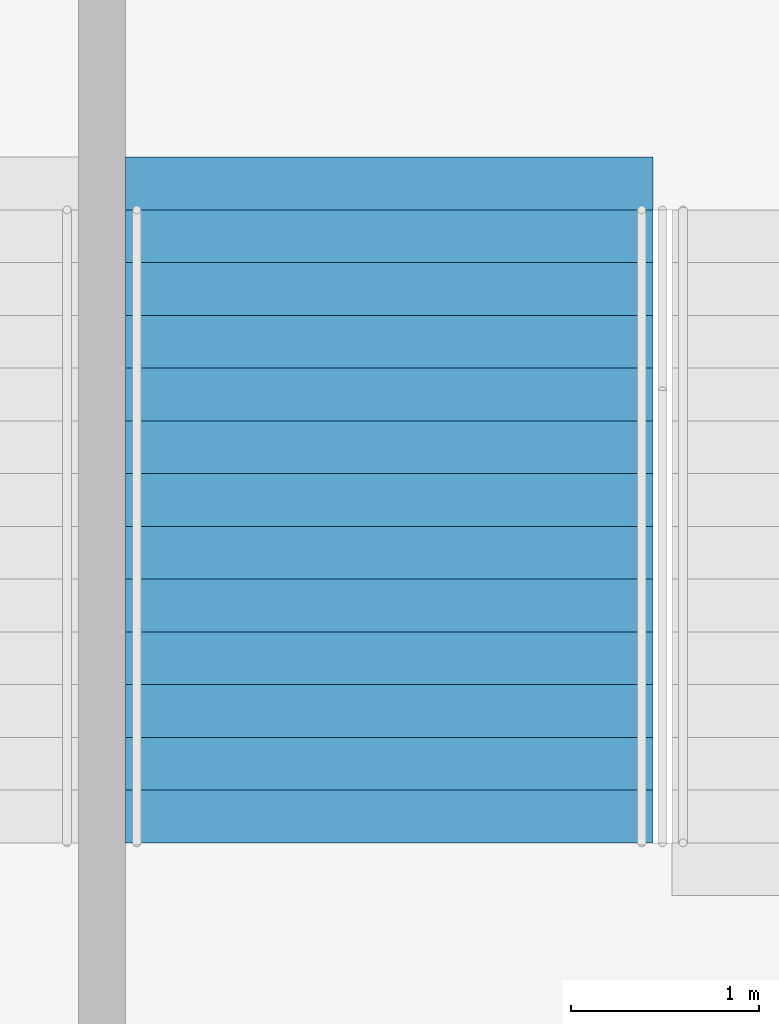
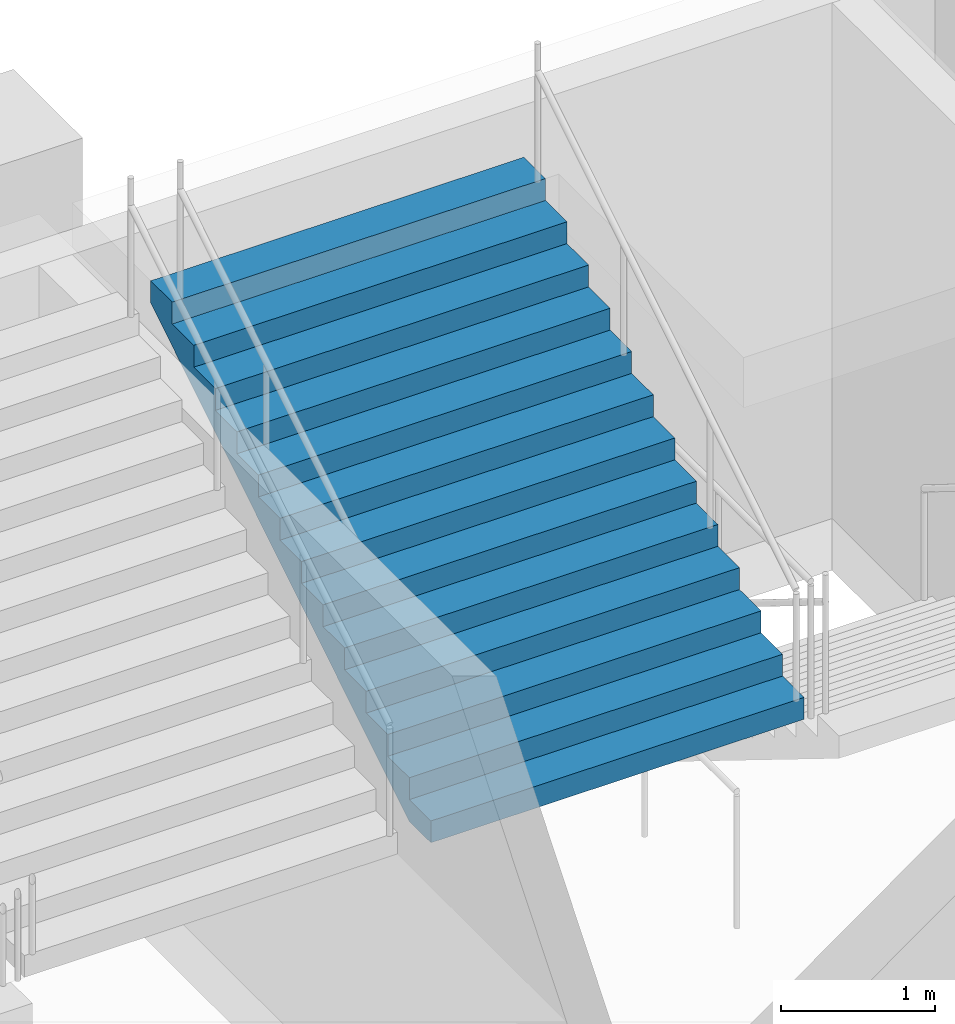
# One storey, part 104 of 177: 1 stair flight, 1 element without a shape of its own.
"""IFC4 building model written with IfcOpenShell, lengths in metres."""

from ifc_helpers import new_model, si_unit, direction, frame, origin, place, context, subcontext, project, spatial, faceted_brep, material, type_object, element, aggregate, save


model = new_model("IFC4")

# Units and contexts
model_context = context("Model", 3, precision=1e-05, world=origin(), true_north=direction((0.0, 1.0)))
body_context = subcontext(model_context, "Body", "Model", "MODEL_VIEW")
ifc_project = project(units=[si_unit("LENGTHUNIT", "METRE"), si_unit("AREAUNIT", "SQUARE_METRE"), si_unit("VOLUMEUNIT", "CUBIC_METRE"), si_unit("PLANEANGLEUNIT", "RADIAN"), si_unit("MASSUNIT", "GRAM", prefix="KILO")], contexts=[model_context])

# Site, building, storey
site_placement = place(None, origin())
site = spatial("IfcSite", under=ifc_project, at=site_placement, CompositionType="ELEMENT")
building_placement = place(site_placement, origin())
building = spatial("IfcBuilding", under=site, at=building_placement, Name="Ogive Plaza Stadium", CompositionType="ELEMENT")
storey_placement = place(building_placement, frame((0.0, 0.0, 18.0)))
storey = spatial("IfcBuildingStorey", under=building, at=storey_placement, Name="L04", CompositionType="ELEMENT", Elevation=18.0)

# Stair, stair flight
ifc_material_1 = material(Name="Concrete C40/50", Category="concrete")
stair_type = type_object("IfcStairType", Name="Exit stair", PredefinedType="STRAIGHT_RUN_STAIR", material=ifc_material_1)
stair_placement = place(storey_placement, origin())
stair = element("IfcStair", 1, at=stair_placement, inside=storey, type_object=stair_type, Name="Exit stair ST12B L04 to L05", PredefinedType="STRAIGHT_RUN_STAIR")
ifc_material_2 = material(Name="Concrete C40/50", Category="concrete")
stair_flight_type = type_object("IfcStairFlightType", Name="Exit stair flight", PredefinedType="STRAIGHT", material=ifc_material_2)
stair_flight_placement = place(storey_placement, frame((35.52490234375, -98.2099609375, 2.25), z_axis=(0.0, 0.0, 1.0), x_axis=(0.0, 1.0, 0.0)))
stair_flight = element("IfcStairFlight", 2, at=stair_flight_placement, type_object=stair_flight_type, Name="ST12B flight 2", NumberOfRisers=13, NumberOfTreads=12, PredefinedType="STRAIGHT", RiserHeight=0.173076923, TreadLength=0.28, context=body_context, shape_type="Brep", body=[
    faceted_brep([(0.28515625, -1.39990234375, 0.0), (3.639892578125, -1.39990234375, 2.07373046875), (3.639892578125, -1.39990234375, 2.25), (3.360107421875, -1.39990234375, 2.25), (3.360107421875, -1.39990234375, 2.076904296875), (3.080078125, -1.39990234375, 2.076904296875), (3.080078125, -1.39990234375, 1.90380859375), (2.800048828125, -1.39990234375, 1.90380859375), (2.800048828125, -1.39990234375, 1.730712890625), (2.52001953125, -1.39990234375, 1.730712890625), (2.52001953125, -1.39990234375, 1.5576171875), (2.239990234375, -1.39990234375, 1.5576171875), (2.239990234375, -1.39990234375, 1.384521484375), (1.9599609375, -1.39990234375, 1.384521484375), (1.9599609375, -1.39990234375, 1.21142578125), (1.679931640625, -1.39990234375, 1.21142578125), (1.679931640625, -1.39990234375, 1.03857421875), (1.39990234375, -1.39990234375, 1.03857421875), (1.39990234375, -1.39990234375, 0.865478515625), (1.1201171875, -1.39990234375, 0.865478515625), (1.1201171875, -1.39990234375, 0.6923828125), (0.840087890625, -1.39990234375, 0.6923828125), (0.840087890625, -1.39990234375, 0.519287109375), (0.56005859375, -1.39990234375, 0.519287109375), (0.56005859375, -1.39990234375, 0.34619140625), (0.280029296875, -1.39990234375, 0.34619140625), (0.280029296875, -1.39990234375, 0.173095703125), (0.0, -1.39990234375, 0.173095703125), (0.0, -1.39990234375, 0.0), (0.0, 1.39990234375, 0.0), (0.0, 1.39990234375, 0.173095703125), (0.280029296875, 1.39990234375, 0.173095703125), (0.280029296875, 1.39990234375, 0.34619140625), (0.56005859375, 1.39990234375, 0.34619140625), (0.56005859375, 1.39990234375, 0.519287109375), (0.840087890625, 1.39990234375, 0.519287109375), (0.840087890625, 1.39990234375, 0.6923828125), (1.1201171875, 1.39990234375, 0.6923828125), (1.1201171875, 1.39990234375, 0.865478515625), (1.39990234375, 1.39990234375, 0.865478515625), (1.39990234375, 1.39990234375, 1.03857421875), (1.679931640625, 1.39990234375, 1.03857421875), (1.679931640625, 1.39990234375, 1.21142578125), (1.9599609375, 1.39990234375, 1.21142578125), (1.9599609375, 1.39990234375, 1.384521484375), (2.239990234375, 1.39990234375, 1.384521484375), (2.239990234375, 1.39990234375, 1.5576171875), (2.52001953125, 1.39990234375, 1.5576171875), (2.52001953125, 1.39990234375, 1.730712890625), (2.800048828125, 1.39990234375, 1.730712890625), (2.800048828125, 1.39990234375, 1.90380859375), (3.080078125, 1.39990234375, 1.90380859375), (3.080078125, 1.39990234375, 2.076904296875), (3.360107421875, 1.39990234375, 2.076904296875), (3.360107421875, 1.39990234375, 2.25), (3.639892578125, 1.39990234375, 2.25), (3.639892578125, 1.39990234375, 2.07373046875), (0.28515625, 1.39990234375, 0.0), (0.28515625, -1.0888671875, 0.0), (3.639892578125, -1.0888671875, 2.07373046875), (0.28515625, -0.77783203125, 0.0), (3.639892578125, -0.77783203125, 2.07373046875), (0.28515625, -0.466796875, 0.0), (3.639892578125, -0.466796875, 2.07373046875), (0.28515625, -0.155517578125, 0.0), (3.639892578125, -0.155517578125, 2.07373046875), (0.28515625, 0.155517578125, 0.0), (3.639892578125, 0.155517578125, 2.07373046875), (0.28515625, 0.466796875, 0.0), (3.639892578125, 0.466796875, 2.07373046875), (0.28515625, 0.77783203125, 0.0), (3.639892578125, 0.77783203125, 2.07373046875), (0.28515625, 1.0888671875, 0.0), (3.639892578125, 1.0888671875, 2.07373046875), (3.639892578125, -1.0888671875, 2.25), (3.639892578125, -0.77783203125, 2.25), (3.639892578125, -0.466796875, 2.25), (3.639892578125, -0.155517578125, 2.25), (3.639892578125, 0.155517578125, 2.25), (3.639892578125, 0.466796875, 2.25), (3.639892578125, 0.77783203125, 2.25), (3.639892578125, 1.0888671875, 2.25), (3.360107421875, -1.0888671875, 2.25), (3.360107421875, -0.77783203125, 2.25), (3.360107421875, -0.466796875, 2.25), (3.360107421875, -0.155517578125, 2.25), (3.360107421875, 0.155517578125, 2.25), (3.360107421875, 0.466796875, 2.25), (3.360107421875, 0.77783203125, 2.25), (3.360107421875, 1.0888671875, 2.25), (3.360107421875, -1.0888671875, 2.076904296875), (3.360107421875, -0.77783203125, 2.076904296875), (3.360107421875, -0.466796875, 2.076904296875), (3.360107421875, -0.155517578125, 2.076904296875), (3.360107421875, 0.155517578125, 2.076904296875), (3.360107421875, 0.466796875, 2.076904296875), (3.360107421875, 0.77783203125, 2.076904296875), (3.360107421875, 1.0888671875, 2.076904296875), (3.080078125, -1.0888671875, 2.076904296875), (3.080078125, -0.77783203125, 2.076904296875), (3.080078125, -0.466796875, 2.076904296875), (3.080078125, -0.155517578125, 2.076904296875), (3.080078125, 0.155517578125, 2.076904296875), (3.080078125, 0.466796875, 2.076904296875), (3.080078125, 0.77783203125, 2.076904296875), (3.080078125, 1.0888671875, 2.076904296875), (3.080078125, -1.0888671875, 1.90380859375), (3.080078125, -0.77783203125, 1.90380859375), (3.080078125, -0.466796875, 1.90380859375), (3.080078125, -0.155517578125, 1.90380859375), (3.080078125, 0.155517578125, 1.90380859375), (3.080078125, 0.466796875, 1.90380859375), (3.080078125, 0.77783203125, 1.90380859375), (3.080078125, 1.0888671875, 1.90380859375), (2.800048828125, -1.0888671875, 1.90380859375), (2.800048828125, -0.77783203125, 1.90380859375), (2.800048828125, -0.466796875, 1.90380859375), (2.800048828125, -0.155517578125, 1.90380859375), (2.800048828125, 0.155517578125, 1.90380859375), (2.800048828125, 0.466796875, 1.90380859375), (2.800048828125, 0.77783203125, 1.90380859375), (2.800048828125, 1.0888671875, 1.90380859375), (2.800048828125, -1.0888671875, 1.730712890625), (2.800048828125, -0.77783203125, 1.730712890625), (2.800048828125, -0.466796875, 1.730712890625), (2.800048828125, -0.155517578125, 1.730712890625), (2.800048828125, 0.155517578125, 1.730712890625), (2.800048828125, 0.466796875, 1.730712890625), (2.800048828125, 0.77783203125, 1.730712890625), (2.800048828125, 1.0888671875, 1.730712890625), (2.52001953125, -1.0888671875, 1.730712890625), (2.52001953125, -0.77783203125, 1.730712890625), (2.52001953125, -0.466796875, 1.730712890625), (2.52001953125, -0.155517578125, 1.730712890625), (2.52001953125, 0.155517578125, 1.730712890625), (2.52001953125, 0.466796875, 1.730712890625), (2.52001953125, 0.77783203125, 1.730712890625), (2.52001953125, 1.0888671875, 1.730712890625), (2.52001953125, -1.0888671875, 1.5576171875), (2.52001953125, -0.77783203125, 1.5576171875), (2.52001953125, -0.466796875, 1.5576171875), (2.52001953125, -0.155517578125, 1.5576171875), (2.52001953125, 0.155517578125, 1.5576171875), (2.52001953125, 0.466796875, 1.5576171875), (2.52001953125, 0.77783203125, 1.5576171875), (2.52001953125, 1.0888671875, 1.5576171875), (2.239990234375, -1.0888671875, 1.5576171875), (2.239990234375, -0.77783203125, 1.5576171875), (2.239990234375, -0.466796875, 1.5576171875), (2.239990234375, -0.155517578125, 1.5576171875), (2.239990234375, 0.155517578125, 1.5576171875), (2.239990234375, 0.466796875, 1.5576171875), (2.239990234375, 0.77783203125, 1.5576171875), (2.239990234375, 1.0888671875, 1.5576171875), (2.239990234375, -1.0888671875, 1.384521484375), (2.239990234375, -0.77783203125, 1.384521484375), (2.239990234375, -0.466796875, 1.384521484375), (2.239990234375, -0.155517578125, 1.384521484375), (2.239990234375, 0.155517578125, 1.384521484375), (2.239990234375, 0.466796875, 1.384521484375), (2.239990234375, 0.77783203125, 1.384521484375), (2.239990234375, 1.0888671875, 1.384521484375), (1.9599609375, -1.0888671875, 1.384521484375), (1.9599609375, -0.77783203125, 1.384521484375), (1.9599609375, -0.466796875, 1.384521484375), (1.9599609375, -0.155517578125, 1.384521484375), (1.9599609375, 0.155517578125, 1.384521484375), (1.9599609375, 0.466796875, 1.384521484375), (1.9599609375, 0.77783203125, 1.384521484375), (1.9599609375, 1.0888671875, 1.384521484375), (1.9599609375, -1.0888671875, 1.21142578125), (1.9599609375, -0.77783203125, 1.21142578125), (1.9599609375, -0.466796875, 1.21142578125), (1.9599609375, -0.155517578125, 1.21142578125), (1.9599609375, 0.155517578125, 1.21142578125), (1.9599609375, 0.466796875, 1.21142578125), (1.9599609375, 0.77783203125, 1.21142578125), (1.9599609375, 1.0888671875, 1.21142578125), (1.679931640625, -1.0888671875, 1.21142578125), (1.679931640625, -0.77783203125, 1.21142578125), (1.679931640625, -0.466796875, 1.21142578125), (1.679931640625, -0.155517578125, 1.21142578125), (1.679931640625, 0.155517578125, 1.21142578125), (1.679931640625, 0.466796875, 1.21142578125), (1.679931640625, 0.77783203125, 1.21142578125), (1.679931640625, 1.0888671875, 1.21142578125), (1.679931640625, -1.0888671875, 1.03857421875), (1.679931640625, -0.77783203125, 1.03857421875), (1.679931640625, -0.466796875, 1.03857421875), (1.679931640625, -0.155517578125, 1.03857421875), (1.679931640625, 0.155517578125, 1.03857421875), (1.679931640625, 0.466796875, 1.03857421875), (1.679931640625, 0.77783203125, 1.03857421875), (1.679931640625, 1.0888671875, 1.03857421875), (1.39990234375, -1.0888671875, 1.03857421875), (1.39990234375, -0.77783203125, 1.03857421875), (1.39990234375, -0.466796875, 1.03857421875), (1.39990234375, -0.155517578125, 1.03857421875), (1.39990234375, 0.155517578125, 1.03857421875), (1.39990234375, 0.466796875, 1.03857421875), (1.39990234375, 0.77783203125, 1.03857421875), (1.39990234375, 1.0888671875, 1.03857421875), (1.39990234375, -1.0888671875, 0.865478515625), (1.39990234375, -0.77783203125, 0.865478515625), (1.39990234375, -0.466796875, 0.865478515625), (1.39990234375, -0.155517578125, 0.865478515625), (1.39990234375, 0.155517578125, 0.865478515625), (1.39990234375, 0.466796875, 0.865478515625), (1.39990234375, 0.77783203125, 0.865478515625), (1.39990234375, 1.0888671875, 0.865478515625), (1.1201171875, -1.0888671875, 0.865478515625), (1.1201171875, -0.77783203125, 0.865478515625), (1.1201171875, -0.466796875, 0.865478515625), (1.1201171875, -0.155517578125, 0.865478515625), (1.1201171875, 0.155517578125, 0.865478515625), (1.1201171875, 0.466796875, 0.865478515625), (1.1201171875, 0.77783203125, 0.865478515625), (1.1201171875, 1.0888671875, 0.865478515625), (1.1201171875, -1.0888671875, 0.6923828125), (1.1201171875, -0.77783203125, 0.6923828125), (1.1201171875, -0.466796875, 0.6923828125), (1.1201171875, -0.155517578125, 0.6923828125), (1.1201171875, 0.155517578125, 0.6923828125), (1.1201171875, 0.466796875, 0.6923828125), (1.1201171875, 0.77783203125, 0.6923828125), (1.1201171875, 1.0888671875, 0.6923828125), (0.840087890625, -1.0888671875, 0.6923828125), (0.840087890625, -0.77783203125, 0.6923828125), (0.840087890625, -0.466796875, 0.6923828125), (0.840087890625, -0.155517578125, 0.6923828125), (0.840087890625, 0.155517578125, 0.6923828125), (0.840087890625, 0.466796875, 0.6923828125), (0.840087890625, 0.77783203125, 0.6923828125), (0.840087890625, 1.0888671875, 0.6923828125), (0.840087890625, -1.0888671875, 0.519287109375), (0.840087890625, -0.77783203125, 0.519287109375), (0.840087890625, -0.466796875, 0.519287109375), (0.840087890625, -0.155517578125, 0.519287109375), (0.840087890625, 0.155517578125, 0.519287109375), (0.840087890625, 0.466796875, 0.519287109375), (0.840087890625, 0.77783203125, 0.519287109375), (0.840087890625, 1.0888671875, 0.519287109375), (0.56005859375, -1.0888671875, 0.519287109375), (0.56005859375, -0.77783203125, 0.519287109375), (0.56005859375, -0.466796875, 0.519287109375), (0.56005859375, -0.155517578125, 0.519287109375), (0.56005859375, 0.155517578125, 0.519287109375), (0.56005859375, 0.466796875, 0.519287109375), (0.56005859375, 0.77783203125, 0.519287109375), (0.56005859375, 1.0888671875, 0.519287109375), (0.56005859375, -1.0888671875, 0.34619140625), (0.56005859375, -0.77783203125, 0.34619140625), (0.56005859375, -0.466796875, 0.34619140625), (0.56005859375, -0.155517578125, 0.34619140625), (0.56005859375, 0.155517578125, 0.34619140625), (0.56005859375, 0.466796875, 0.34619140625), (0.56005859375, 0.77783203125, 0.34619140625), (0.56005859375, 1.0888671875, 0.34619140625), (0.280029296875, -1.0888671875, 0.34619140625), (0.280029296875, -0.77783203125, 0.34619140625), (0.280029296875, -0.466796875, 0.34619140625), (0.280029296875, -0.155517578125, 0.34619140625), (0.280029296875, 0.155517578125, 0.34619140625), (0.280029296875, 0.466796875, 0.34619140625), (0.280029296875, 0.77783203125, 0.34619140625), (0.280029296875, 1.0888671875, 0.34619140625), (0.280029296875, -1.0888671875, 0.173095703125), (0.280029296875, -0.77783203125, 0.173095703125), (0.280029296875, -0.466796875, 0.173095703125), (0.280029296875, -0.155517578125, 0.173095703125), (0.280029296875, 0.155517578125, 0.173095703125), (0.280029296875, 0.466796875, 0.173095703125), (0.280029296875, 0.77783203125, 0.173095703125), (0.280029296875, 1.0888671875, 0.173095703125), (0.0, -1.0888671875, 0.173095703125), (0.0, -0.77783203125, 0.173095703125), (0.0, -0.466796875, 0.173095703125), (0.0, -0.155517578125, 0.173095703125), (0.0, 0.155517578125, 0.173095703125), (0.0, 0.466796875, 0.173095703125), (0.0, 0.77783203125, 0.173095703125), (0.0, 1.0888671875, 0.173095703125), (0.0, -1.0888671875, 0.0), (0.0, -0.77783203125, 0.0), (0.0, -0.466796875, 0.0), (0.0, -0.155517578125, 0.0), (0.0, 0.155517578125, 0.0), (0.0, 0.466796875, 0.0), (0.0, 0.77783203125, 0.0), (0.0, 1.0888671875, 0.0)], [[[0, 1, 2, 3, 4, 5, 6, 7, 8, 9, 10, 11, 12, 13, 14, 15, 16, 17, 18, 19, 20, 21, 22, 23, 24, 25, 26, 27, 28]], [[29, 30, 31, 32, 33, 34, 35, 36, 37, 38, 39, 40, 41, 42, 43, 44, 45, 46, 47, 48, 49, 50, 51, 52, 53, 54, 55, 56, 57]], [[0, 58, 59, 1]], [[58, 60, 61, 59]], [[60, 62, 63, 61]], [[62, 64, 65, 63]], [[64, 66, 67, 65]], [[66, 68, 69, 67]], [[68, 70, 71, 69]], [[70, 72, 73, 71]], [[72, 57, 56, 73]], [[1, 59, 74, 2]], [[59, 61, 75, 74]], [[61, 63, 76, 75]], [[63, 65, 77, 76]], [[65, 67, 78, 77]], [[67, 69, 79, 78]], [[69, 71, 80, 79]], [[71, 73, 81, 80]], [[73, 56, 55, 81]], [[2, 74, 82, 3]], [[74, 75, 83, 82]], [[75, 76, 84, 83]], [[76, 77, 85, 84]], [[77, 78, 86, 85]], [[78, 79, 87, 86]], [[79, 80, 88, 87]], [[80, 81, 89, 88]], [[81, 55, 54, 89]], [[3, 82, 90, 4]], [[82, 83, 91, 90]], [[83, 84, 92, 91]], [[84, 85, 93, 92]], [[85, 86, 94, 93]], [[86, 87, 95, 94]], [[87, 88, 96, 95]], [[88, 89, 97, 96]], [[89, 54, 53, 97]], [[4, 90, 98, 5]], [[90, 91, 99, 98]], [[91, 92, 100, 99]], [[92, 93, 101, 100]], [[93, 94, 102, 101]], [[94, 95, 103, 102]], [[95, 96, 104, 103]], [[96, 97, 105, 104]], [[97, 53, 52, 105]], [[5, 98, 106, 6]], [[98, 99, 107, 106]], [[99, 100, 108, 107]], [[100, 101, 109, 108]], [[101, 102, 110, 109]], [[102, 103, 111, 110]], [[103, 104, 112, 111]], [[104, 105, 113, 112]], [[105, 52, 51, 113]], [[6, 106, 114, 7]], [[106, 107, 115, 114]], [[107, 108, 116, 115]], [[108, 109, 117, 116]], [[109, 110, 118, 117]], [[110, 111, 119, 118]], [[111, 112, 120, 119]], [[112, 113, 121, 120]], [[113, 51, 50, 121]], [[7, 114, 122, 8]], [[114, 115, 123, 122]], [[115, 116, 124, 123]], [[116, 117, 125, 124]], [[117, 118, 126, 125]], [[118, 119, 127, 126]], [[119, 120, 128, 127]], [[120, 121, 129, 128]], [[121, 50, 49, 129]], [[8, 122, 130, 9]], [[122, 123, 131, 130]], [[123, 124, 132, 131]], [[124, 125, 133, 132]], [[125, 126, 134, 133]], [[126, 127, 135, 134]], [[127, 128, 136, 135]], [[128, 129, 137, 136]], [[129, 49, 48, 137]], [[9, 130, 138, 10]], [[130, 131, 139, 138]], [[131, 132, 140, 139]], [[132, 133, 141, 140]], [[133, 134, 142, 141]], [[134, 135, 143, 142]], [[135, 136, 144, 143]], [[136, 137, 145, 144]], [[137, 48, 47, 145]], [[10, 138, 146, 11]], [[138, 139, 147, 146]], [[139, 140, 148, 147]], [[140, 141, 149, 148]], [[141, 142, 150, 149]], [[142, 143, 151, 150]], [[143, 144, 152, 151]], [[144, 145, 153, 152]], [[145, 47, 46, 153]], [[11, 146, 154, 12]], [[146, 147, 155, 154]], [[147, 148, 156, 155]], [[148, 149, 157, 156]], [[149, 150, 158, 157]], [[150, 151, 159, 158]], [[151, 152, 160, 159]], [[152, 153, 161, 160]], [[153, 46, 45, 161]], [[12, 154, 162, 13]], [[154, 155, 163, 162]], [[155, 156, 164, 163]], [[156, 157, 165, 164]], [[157, 158, 166, 165]], [[158, 159, 167, 166]], [[159, 160, 168, 167]], [[160, 161, 169, 168]], [[161, 45, 44, 169]], [[13, 162, 170, 14]], [[162, 163, 171, 170]], [[163, 164, 172, 171]], [[164, 165, 173, 172]], [[165, 166, 174, 173]], [[166, 167, 175, 174]], [[167, 168, 176, 175]], [[168, 169, 177, 176]], [[169, 44, 43, 177]], [[14, 170, 178, 15]], [[170, 171, 179, 178]], [[171, 172, 180, 179]], [[172, 173, 181, 180]], [[173, 174, 182, 181]], [[174, 175, 183, 182]], [[175, 176, 184, 183]], [[176, 177, 185, 184]], [[177, 43, 42, 185]], [[15, 178, 186, 16]], [[178, 179, 187, 186]], [[179, 180, 188, 187]], [[180, 181, 189, 188]], [[181, 182, 190, 189]], [[182, 183, 191, 190]], [[183, 184, 192, 191]], [[184, 185, 193, 192]], [[185, 42, 41, 193]], [[16, 186, 194, 17]], [[186, 187, 195, 194]], [[187, 188, 196, 195]], [[188, 189, 197, 196]], [[189, 190, 198, 197]], [[190, 191, 199, 198]], [[191, 192, 200, 199]], [[192, 193, 201, 200]], [[193, 41, 40, 201]], [[17, 194, 202, 18]], [[194, 195, 203, 202]], [[195, 196, 204, 203]], [[196, 197, 205, 204]], [[197, 198, 206, 205]], [[198, 199, 207, 206]], [[199, 200, 208, 207]], [[200, 201, 209, 208]], [[201, 40, 39, 209]], [[18, 202, 210, 19]], [[202, 203, 211, 210]], [[203, 204, 212, 211]], [[204, 205, 213, 212]], [[205, 206, 214, 213]], [[206, 207, 215, 214]], [[207, 208, 216, 215]], [[208, 209, 217, 216]], [[209, 39, 38, 217]], [[19, 210, 218, 20]], [[210, 211, 219, 218]], [[211, 212, 220, 219]], [[212, 213, 221, 220]], [[213, 214, 222, 221]], [[214, 215, 223, 222]], [[215, 216, 224, 223]], [[216, 217, 225, 224]], [[217, 38, 37, 225]], [[20, 218, 226, 21]], [[218, 219, 227, 226]], [[219, 220, 228, 227]], [[220, 221, 229, 228]], [[221, 222, 230, 229]], [[222, 223, 231, 230]], [[223, 224, 232, 231]], [[224, 225, 233, 232]], [[225, 37, 36, 233]], [[21, 226, 234, 22]], [[226, 227, 235, 234]], [[227, 228, 236, 235]], [[228, 229, 237, 236]], [[229, 230, 238, 237]], [[230, 231, 239, 238]], [[231, 232, 240, 239]], [[232, 233, 241, 240]], [[233, 36, 35, 241]], [[22, 234, 242, 23]], [[234, 235, 243, 242]], [[235, 236, 244, 243]], [[236, 237, 245, 244]], [[237, 238, 246, 245]], [[238, 239, 247, 246]], [[239, 240, 248, 247]], [[240, 241, 249, 248]], [[241, 35, 34, 249]], [[23, 242, 250, 24]], [[242, 243, 251, 250]], [[243, 244, 252, 251]], [[244, 245, 253, 252]], [[245, 246, 254, 253]], [[246, 247, 255, 254]], [[247, 248, 256, 255]], [[248, 249, 257, 256]], [[249, 34, 33, 257]], [[24, 250, 258, 25]], [[250, 251, 259, 258]], [[251, 252, 260, 259]], [[252, 253, 261, 260]], [[253, 254, 262, 261]], [[254, 255, 263, 262]], [[255, 256, 264, 263]], [[256, 257, 265, 264]], [[257, 33, 32, 265]], [[25, 258, 266, 26]], [[258, 259, 267, 266]], [[259, 260, 268, 267]], [[260, 261, 269, 268]], [[261, 262, 270, 269]], [[262, 263, 271, 270]], [[263, 264, 272, 271]], [[264, 265, 273, 272]], [[265, 32, 31, 273]], [[26, 266, 274, 27]], [[266, 267, 275, 274]], [[267, 268, 276, 275]], [[268, 269, 277, 276]], [[269, 270, 278, 277]], [[270, 271, 279, 278]], [[271, 272, 280, 279]], [[272, 273, 281, 280]], [[273, 31, 30, 281]], [[27, 274, 282, 28]], [[274, 275, 283, 282]], [[275, 276, 284, 283]], [[276, 277, 285, 284]], [[277, 278, 286, 285]], [[278, 279, 287, 286]], [[279, 280, 288, 287]], [[280, 281, 289, 288]], [[281, 30, 29, 289]], [[28, 282, 58, 0]], [[282, 283, 60, 58]], [[283, 284, 62, 60]], [[284, 285, 64, 62]], [[285, 286, 66, 64]], [[286, 287, 68, 66]], [[287, 288, 70, 68]], [[288, 289, 72, 70]], [[289, 29, 57, 72]]]),
])
aggregate(stair, [stair_flight])

save(model, "model.ifc")
